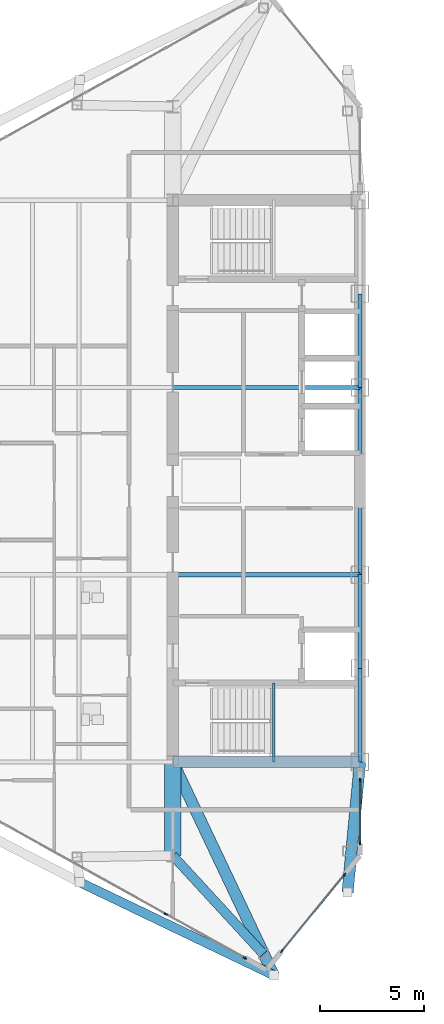
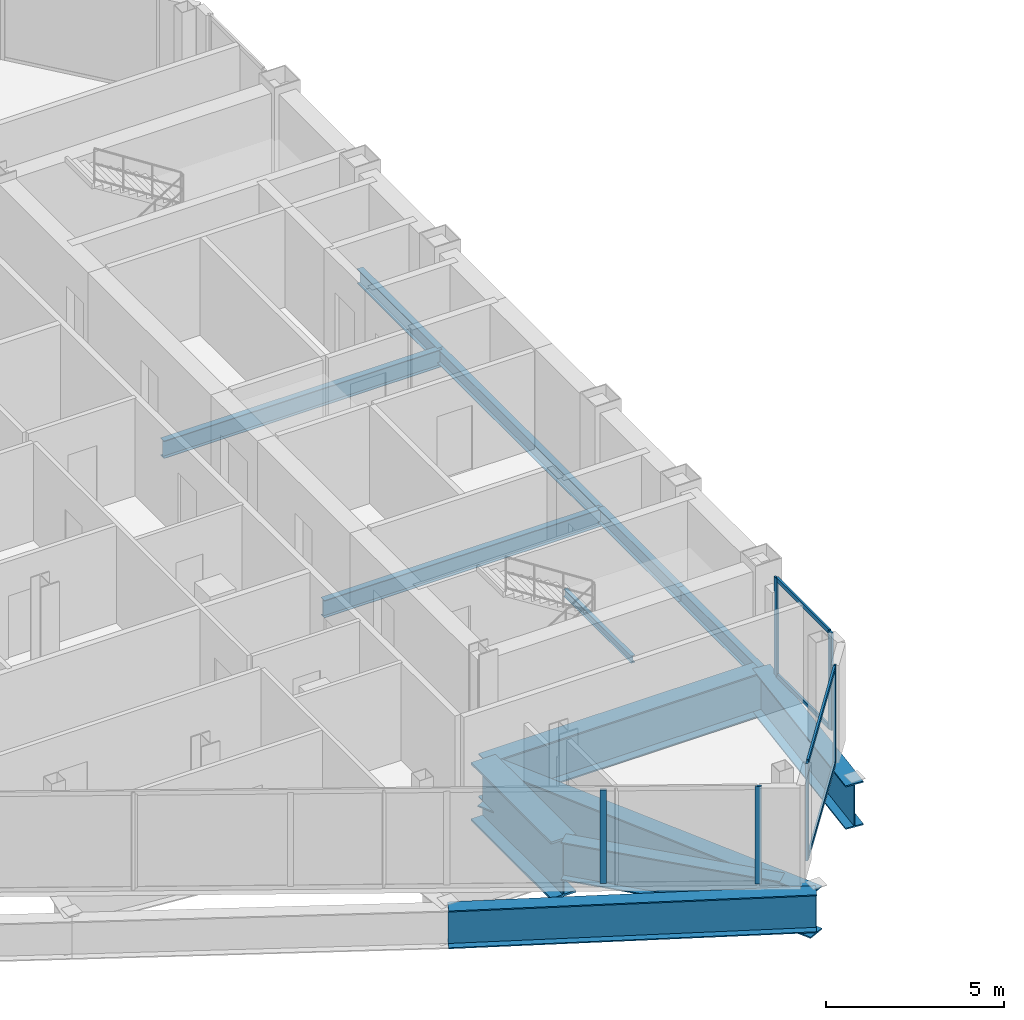
# One storey, part 7 of 28: 13 beams, 10 members, 3 elements without a shape of their own.
"""IFC4 building model written with IfcOpenShell, lengths in metres."""

from ifc_helpers import new_model, si_unit, direction, frame, origin, origin_2d, place, context, subcontext, project, spatial, rectangle, i_section, extrude, source, transform, mapped, material, layer, layer_set, material_profile, profile_set, type_object, type_shapes, element, aggregate, save


model = new_model("IFC4")

# Units and contexts
model_context = context("Model", 3, precision=1e-05, world=origin(), true_north=direction((0.0, 1.0)))
body_context = subcontext(model_context, "Body", "Model", "MODEL_VIEW")
ifc_project = project(units=[si_unit("LENGTHUNIT", "METRE"), si_unit("AREAUNIT", "SQUARE_METRE"), si_unit("VOLUMEUNIT", "CUBIC_METRE"), si_unit("PLANEANGLEUNIT", "RADIAN"), si_unit("MASSUNIT", "GRAM", prefix="KILO")], contexts=[model_context])

# Site, building, storey
site_placement = place(None, origin())
site = spatial("IfcSite", under=ifc_project, at=site_placement, CompositionType="ELEMENT")
building_placement = place(site_placement, origin())
building = spatial("IfcBuilding", under=site, at=building_placement, Name="Seokmaru Belvedere", CompositionType="ELEMENT")
storey_placement = place(building_placement, frame((0.0, 0.0, 158.39990234375)))
storey = spatial("IfcBuildingStorey", under=building, at=storey_placement, Name="L42", CompositionType="ELEMENT", Elevation=158.39990234375)

# Beams
ifc_material_1 = material(Name="Steel SM355 (355 MPa)", Category="steel")
ifc_material_profile_1 = material_profile(ifc_material_1, i_section(OverallWidth=0.199951171875, OverallDepth=0.5, WebThickness=0.010009765625, FlangeThickness=0.01611328125, at=origin_2d()), Name="H-500x200x10x16")
ifc_profile_set_1 = profile_set([ifc_material_profile_1], Name="Steel SM355 (355 MPa)")
beam_type_1 = type_object("IfcBeamType", Name="Perimeter Spandrel Beam H-500", PredefinedType="SPANDREL", material=ifc_profile_set_1)
shared_shape_1 = source(origin(), body_context, "Body", "SweptSolid", [
    extrude(i_section(OverallWidth=0.199951171875, OverallDepth=0.5, WebThickness=0.010009765625, FlangeThickness=0.01611328125, at=origin_2d()), origin(), (0.0, 0.0, 1.0), 4.5),
])
for number, where, z_axis, x_axis, name in (
    (1, (-27.5, -13.5, -0.469970703125), (0.0, 1.0, 0.0), (-1.0, 0.0, 0.0), "L42 W Portal Spine Spandrel 1"),
    (2, (-27.5, -9.0, -0.469970703125), (0.0, 1.0, 0.0), (-1.0, 0.0, 0.0), "L42 W Portal Spine Spandrel 2"),
    (3, (-27.5, 4.5, -0.469970703125), (0.0, 1.0, 0.0), (-1.0, 0.0, 0.0), "L42 W Portal Spine Spandrel 4"),
):
    element("IfcBeam", number, at=place(storey_placement, frame(where, z_axis=z_axis, x_axis=x_axis)), inside=storey, type_object=beam_type_1, Name=name, PredefinedType="SPANDREL", context=body_context, shape_type="MappedRepresentation", body=[
        mapped(shared_shape_1, transform((0.0, 0.0, 0.0), scale=1.0)),
    ])
shared_shape_2 = source(origin(), body_context, "Body", "SweptSolid", [
    extrude(i_section(OverallWidth=0.199951171875, OverallDepth=0.5, WebThickness=0.010009765625, FlangeThickness=0.01611328125, at=origin_2d()), origin(), (0.0, 0.0, 1.0), 9.0),
])
type_shapes(beam_type_1, [shared_shape_1, shared_shape_2])
beam_1_placement = place(storey_placement, frame((-27.5, -4.5, -0.469970703125), z_axis=(0.0, 1.0, 0.0), x_axis=(-1.0, 0.0, 0.0)))
element("IfcBeam", 4, at=beam_1_placement, inside=storey, type_object=beam_type_1, Name="L42 W Portal Spine Spandrel 3", PredefinedType="SPANDREL", context=body_context, shape_type="MappedRepresentation", body=[
    mapped(shared_shape_2, transform((0.0, 0.0, 0.0), scale=1.0)),
])
ifc_material_2 = material(Name="Steel HSA650 (650 MPa)", Category="steel")
ifc_material_profile_2 = material_profile(ifc_material_2, i_section(OverallWidth=0.800048828125, OverallDepth=2.0, WebThickness=0.0400390625, FlangeThickness=0.070068359375, at=origin_2d()), Name="BH-2000x800x40x70")
ifc_profile_set_2 = profile_set([ifc_material_profile_2], Name="Steel HSA650 (650 MPa)")
beam_type_2 = type_object("IfcBeamType", Name="Sky-Gate Transfer Truss Chord Girder BH-2000", PredefinedType="BEAM", material=ifc_profile_set_2)
shared_shape_3 = source(origin(), body_context, "Body", "SweptSolid", [
    extrude(i_section(OverallWidth=0.800048828125, OverallDepth=2.0, WebThickness=0.0400390625, FlangeThickness=0.070068359375, at=origin_2d()), origin(), (0.0, 0.0, 1.0), 4.5),
])
type_shapes(beam_type_2, [shared_shape_3])
beam_2_placement = place(storey_placement, frame((-36.5, -18.0, -1.219970703125), z_axis=(0.0, 1.0, 0.0), x_axis=(-1.0, 0.0, 0.0)))
element("IfcBeam", 5, at=beam_2_placement, inside=storey, type_object=beam_type_2, Name="L42 W Core Shoulder Girder S", PredefinedType="BEAM", context=body_context, shape_type="MappedRepresentation", body=[
    mapped(shared_shape_3, transform((0.0, 0.0, 0.0), scale=1.0)),
])
ifc_material_profile_3 = material_profile(ifc_material_2, i_section(OverallWidth=0.550048828125, OverallDepth=1.5, WebThickness=0.028076171875, FlangeThickness=0.044921875, at=origin_2d()), Name="BH-1500x550x28x45")
ifc_profile_set_3 = profile_set([ifc_material_profile_3], Name="Steel HSA650 (650 MPa)")
beam_type_3 = type_object("IfcBeamType", Name="Setback Transfer Girder BH-1500", PredefinedType="BEAM", material=ifc_profile_set_3)
shared_shape_4 = source(origin(), body_context, "Body", "SweptSolid", [
    extrude(i_section(OverallWidth=0.550048828125, OverallDepth=1.5, WebThickness=0.028076171875, FlangeThickness=0.044921875, at=origin_2d()), origin(), (0.0, 0.0, 1.0), 9.0),
])
beam_3_placement = place(storey_placement, frame((-36.5, -13.5, -0.969970703125), z_axis=(1.0, 0.0, 0.0), x_axis=(0.0, 1.0, 0.0)))
element("IfcBeam", 6, at=beam_3_placement, inside=storey, type_object=beam_type_3, Name="L42 W Core Transfer Header 1", PredefinedType="BEAM", context=body_context, shape_type="MappedRepresentation", body=[
    mapped(shared_shape_4, transform((0.0, 0.0, 0.0), scale=1.0)),
])
ifc_material_profile_4 = material_profile(ifc_material_1, i_section(OverallWidth=0.199951171875, OverallDepth=0.60009765625, WebThickness=0.010986328125, FlangeThickness=0.01708984375, at=origin_2d()), Name="H-600x200x11x17")
ifc_profile_set_4 = profile_set([ifc_material_profile_4], Name="Steel SM355 (355 MPa)")
beam_type_4 = type_object("IfcBeamType", Name="Primary Floor Girder H-600", PredefinedType="BEAM", material=ifc_profile_set_4)
shared_shape_5 = source(origin(), body_context, "Body", "SweptSolid", [
    extrude(i_section(OverallWidth=0.199951171875, OverallDepth=0.60009765625, WebThickness=0.010986328125, FlangeThickness=0.01708984375, at=origin_2d()), origin(), (0.0, 0.0, 1.0), 9.0),
])
type_shapes(beam_type_4, [shared_shape_5])
for number, where, z_axis, x_axis, name in (
    (7, (-36.5, -4.5, -0.52001953125), (1.0, 0.0, 0.0), (0.0, 1.0, 0.0), "L42 W Core Tie Girder 2"),
    (8, (-36.5, 4.5, -0.52001953125), (1.0, 0.0, 0.0), (0.0, 1.0, 0.0), "L42 W Core Tie Girder 3"),
):
    element("IfcBeam", number, at=place(storey_placement, frame(where, z_axis=z_axis, x_axis=x_axis)), inside=storey, type_object=beam_type_4, Name=name, PredefinedType="BEAM", context=body_context, shape_type="MappedRepresentation", body=[
        mapped(shared_shape_5, transform((0.0, 0.0, 0.0), scale=1.0)),
    ])
ifc_material_profile_5 = material_profile(ifc_material_2, i_section(OverallWidth=0.449951171875, OverallDepth=1.300048828125, WebThickness=0.02197265625, FlangeThickness=0.0380859375, at=origin_2d()), Name="BH-1300x450x22x38")
ifc_profile_set_5 = profile_set([ifc_material_profile_5], Name="Steel HSA650 (650 MPa)")
beam_type_5 = type_object("IfcBeamType", Name="Observatory Long-Span Roof Girder BH-1300", PredefinedType="BEAM", material=ifc_profile_set_5)
shared_shape_6 = source(origin(), body_context, "Body", "SweptSolid", [
    extrude(i_section(OverallWidth=0.449951171875, OverallDepth=1.300048828125, WebThickness=0.02197265625, FlangeThickness=0.0380859375, at=origin_2d()), origin(), (0.0, 0.0, 1.0), 10.353759765625),
])
beam_4_placement = place(storey_placement, frame((-31.6396484375, -23.75390625, -0.869873046875), z_axis=(-0.901713202822, 0.432334708134, 0.0), x_axis=(-0.432334708134, -0.901713202822, 0.0)))
element("IfcBeam", 9, at=beam_4_placement, inside=storey, type_object=beam_type_5, Name="L42 W Faceted Flank Spandrel S-1", PredefinedType="BEAM", context=body_context, shape_type="MappedRepresentation", body=[
    mapped(shared_shape_6, transform((0.0, 0.0, 0.0), scale=1.0)),
])
shared_shape_7 = source(origin(), body_context, "Body", "SweptSolid", [
    extrude(i_section(OverallWidth=0.550048828125, OverallDepth=1.5, WebThickness=0.028076171875, FlangeThickness=0.044921875, at=origin_2d()), origin(), (0.0, 0.0, 1.0), 6.300537109375),
])
beam_5_placement = place(storey_placement, frame((-28.10009765625, -19.77197265625, -0.969970703125), z_axis=(0.095244287992, 0.995453929424, 0.0), x_axis=(-0.995453929424, 0.095244287992, 0.0)))
element("IfcBeam", 10, at=beam_5_placement, inside=storey, type_object=beam_type_3, Name="L42 W Setback Transfer Girder 1", PredefinedType="BEAM", context=body_context, shape_type="MappedRepresentation", body=[
    mapped(shared_shape_7, transform((0.0, 0.0, 0.0), scale=1.0)),
])
shared_shape_8 = source(origin(), body_context, "Body", "SweptSolid", [
    extrude(i_section(OverallWidth=0.550048828125, OverallDepth=1.5, WebThickness=0.028076171875, FlangeThickness=0.044921875, at=origin_2d()), origin(), (0.0, 0.0, 1.0), 11.347412109375),
])
type_shapes(beam_type_3, [shared_shape_4, shared_shape_7, shared_shape_8])
beam_6_placement = place(storey_placement, frame((-31.6396484375, -23.75390625, -0.969970703125), z_axis=(-0.428319392777, 0.903627410923, 0.0), x_axis=(-0.903627410923, -0.428319392777, 0.0)))
element("IfcBeam", 11, at=beam_6_placement, inside=storey, type_object=beam_type_3, Name="L42 W Setback Transfer Girder 6", PredefinedType="BEAM", context=body_context, shape_type="MappedRepresentation", body=[
    mapped(shared_shape_8, transform((0.0, 0.0, 0.0), scale=1.0)),
])
shared_shape_9 = source(origin(), body_context, "Body", "SweptSolid", [
    extrude(i_section(OverallWidth=0.449951171875, OverallDepth=1.300048828125, WebThickness=0.02197265625, FlangeThickness=0.0380859375, at=origin_2d()), origin(), (0.0, 0.0, 1.0), 6.4296875),
])
type_shapes(beam_type_5, [shared_shape_6, shared_shape_9])
beam_7_placement = place(storey_placement, frame((-32.146728515625, -22.731689453125, -0.869873046875), z_axis=(-0.677066401984, 0.73592193017, 0.0), x_axis=(-0.73592193017, -0.677066401984, 0.0)))
element("IfcBeam", 12, at=beam_7_placement, inside=storey, type_object=beam_type_5, Name="L42 W Shoulder Sanity Tie Girder 6", PredefinedType="BEAM", context=body_context, shape_type="MappedRepresentation", body=[
    mapped(shared_shape_9, transform((0.0, 0.0, 0.0), scale=1.0)),
])

# Curtain wall, members
ifc_material_3 = material(Name="Bronze Triple Insulating Glass", Category="glass")
ifc_layer = layer(ifc_material_3, 0.179931640625)
ifc_layer_set = layer_set([ifc_layer], Name="Bronze Triple Insulating Glass")
curtain_wall_type = type_object("IfcCurtainWallType", Name="High-Rise Wind-Corner Curtain Wall System CW-5", PredefinedType="NOTDEFINED", material=ifc_layer_set)
curtain_wall_1_placement = place(storey_placement, origin())
curtain_wall_1 = element("IfcCurtainWall", 13, at=curtain_wall_1_placement, inside=storey, type_object=curtain_wall_type, Name="L42 Curtain Wall WSP_1", PredefinedType="NOTDEFINED")
ifc_material_4 = material(Name="Anodised Bronze Aluminium", Category="aluminium")
ifc_material_profile_6 = material_profile(ifc_material_4, rectangle(XDim=0.06494140625, YDim=0.179931640625, at=origin_2d()), Name="CW-M-65x180")
ifc_profile_set_6 = profile_set([ifc_material_profile_6], Name="Anodised Bronze Aluminium")
member_type_1 = type_object("IfcMemberType", Name="Bronze Unitised Mullion 65x180", PredefinedType="MULLION", material=ifc_profile_set_6)
shared_shape_10 = source(origin(), body_context, "Body", "SweptSolid", [
    extrude(rectangle(XDim=0.06494140625, YDim=0.179931640625, at=origin_2d()), origin(), (0.0, 0.0, 1.0), 3.340087890625),
])
member_1_placement = place(storey_placement, frame((-27.5, -17.3974609375, 0.0), z_axis=(0.0, 0.0, 1.0), x_axis=(-1.0, 0.0, 0.0)))
member_1 = element("IfcMember", 14, at=member_1_placement, type_object=member_type_1, Name="CW:L42:WSP_1 Mullion 1", PredefinedType="MULLION", context=body_context, shape_type="MappedRepresentation", body=[
    mapped(shared_shape_10, transform((0.0, 0.0, 0.0), scale=1.0)),
])
member_2_placement = place(storey_placement, frame((-27.5, -14.362548828125, 0.0), z_axis=(0.0, 0.0, 1.0), x_axis=(-1.0, 0.0, 0.0)))
member_2 = element("IfcMember", 15, at=member_2_placement, type_object=member_type_1, Name="CW:L42:WSP_1 Mullion 2", PredefinedType="MULLION", context=body_context, shape_type="MappedRepresentation", body=[
    mapped(shared_shape_10, transform((0.0, 0.0, 0.0), scale=1.0)),
])

# Curtain wall, member
curtain_wall_2_placement = place(storey_placement, origin())
curtain_wall_2 = element("IfcCurtainWall", 16, at=curtain_wall_2_placement, inside=storey, type_object=curtain_wall_type, Name="L42 Curtain Wall WF5", PredefinedType="NOTDEFINED")
member_3_placement = place(storey_placement, frame((-33.033447265625, -22.92529296875, 0.0), z_axis=(0.0, 0.0, 1.0), x_axis=(0.486047125147, 0.873932601598, 0.0)))
member_3 = element("IfcMember", 17, at=member_3_placement, type_object=member_type_1, Name="CW:L42:WF5 Mullion 10", PredefinedType="MULLION", context=body_context, shape_type="MappedRepresentation", body=[
    mapped(shared_shape_10, transform((0.0, 0.0, 0.0), scale=1.0)),
])

# Curtain wall, members
curtain_wall_3_placement = place(storey_placement, origin())
curtain_wall_3 = element("IfcCurtainWall", 18, at=curtain_wall_3_placement, inside=storey, type_object=curtain_wall_type, Name="L42 Curtain Wall WF6", PredefinedType="NOTDEFINED")
member_4_placement = place(storey_placement, frame((-31.251220703125, -22.584716796875, 0.0), z_axis=(0.0, 0.0, 1.0), x_axis=(-0.773944112379, 0.633253907144, 0.0)))
member_4 = element("IfcMember", 19, at=member_4_placement, type_object=member_type_1, Name="CW:L42:WF6 Mullion 1", PredefinedType="MULLION", context=body_context, shape_type="MappedRepresentation", body=[
    mapped(shared_shape_10, transform((0.0, 0.0, 0.0), scale=1.0)),
])
member_5_placement = place(storey_placement, frame((-28.248779296875, -18.915283203125, 0.0), z_axis=(0.0, 0.0, 1.0), x_axis=(-0.773944112379, 0.633253907144, 0.0)))
member_5 = element("IfcMember", 20, at=member_5_placement, type_object=member_type_1, Name="CW:L42:WF6 Mullion 2", PredefinedType="MULLION", context=body_context, shape_type="MappedRepresentation", body=[
    mapped(shared_shape_10, transform((0.0, 0.0, 0.0), scale=1.0)),
])

# Member
ifc_material_profile_7 = material_profile(ifc_material_4, rectangle(XDim=0.06494140625, YDim=0.14990234375, at=origin_2d()), Name="CW-T-65x150")
ifc_profile_set_7 = profile_set([ifc_material_profile_7], Name="Anodised Bronze Aluminium")
member_type_2 = type_object("IfcMemberType", Name="Bronze Unitised Transom 65x150", PredefinedType="USERDEFINED", material=ifc_profile_set_7)
shared_shape_11 = source(origin(), body_context, "Body", "SweptSolid", [
    extrude(rectangle(XDim=0.06494140625, YDim=0.14990234375, at=origin_2d()), origin(), (0.0, 0.0, 1.0), 2.969970703125),
])
member_6_placement = place(storey_placement, frame((-27.5, -17.364990234375, 0.03271484375), z_axis=(0.0, 1.0, 0.0), x_axis=(-1.0, 0.0, 0.0)))
member_6 = element("IfcMember", 21, at=member_6_placement, type_object=member_type_2, Name="CW:L42:WSP_1 Continuous Transom 1", ObjectType="TRANSOM", PredefinedType="USERDEFINED", context=body_context, shape_type="MappedRepresentation", body=[
    mapped(shared_shape_11, transform((0.0, 0.0, 0.0), scale=1.0)),
])

member_7_placement = place(storey_placement, frame((-27.5, -17.364990234375, 3.3076171875), z_axis=(0.0, 1.0, 0.0), x_axis=(-1.0, 0.0, 0.0)))
member_7 = element("IfcMember", 22, at=member_7_placement, type_object=member_type_2, Name="CW:L42:WSP_1 Continuous Transom 2", ObjectType="TRANSOM", PredefinedType="USERDEFINED", context=body_context, shape_type="MappedRepresentation", body=[
    mapped(shared_shape_11, transform((0.0, 0.0, 0.0), scale=1.0)),
])

aggregate(curtain_wall_1, [member_1, member_2, member_6, member_7])

shared_shape_12 = source(origin(), body_context, "Body", "SweptSolid", [
    extrude(rectangle(XDim=0.06494140625, YDim=0.14990234375, at=origin_2d()), origin(), (0.0, 0.0, 1.0), 4.67626953125),
])
type_shapes(member_type_2, [shared_shape_11, shared_shape_12])
member_8_placement = place(storey_placement, frame((-31.230712890625, -22.5595703125, 0.03271484375), z_axis=(0.633277591216, 0.773924733074, 0.0), x_axis=(-0.773924733074, 0.633277591216, 0.0)))
member_8 = element("IfcMember", 23, at=member_8_placement, type_object=member_type_2, Name="CW:L42:WF6 Continuous Transom 1", ObjectType="TRANSOM", PredefinedType="USERDEFINED", context=body_context, shape_type="MappedRepresentation", body=[
    mapped(shared_shape_12, transform((0.0, 0.0, 0.0), scale=1.0)),
])

member_9_placement = place(storey_placement, frame((-31.230712890625, -22.5595703125, 3.3076171875), z_axis=(0.633277591216, 0.773924733074, 0.0), x_axis=(-0.773924733074, 0.633277591216, 0.0)))
member_9 = element("IfcMember", 24, at=member_9_placement, type_object=member_type_2, Name="CW:L42:WF6 Continuous Transom 2", ObjectType="TRANSOM", PredefinedType="USERDEFINED", context=body_context, shape_type="MappedRepresentation", body=[
    mapped(shared_shape_12, transform((0.0, 0.0, 0.0), scale=1.0)),
])

aggregate(curtain_wall_3, [member_4, member_5, member_8, member_9])

shared_shape_13 = source(origin(), body_context, "Body", "SweptSolid", [
    extrude(rectangle(XDim=0.06494140625, YDim=0.179931640625, at=origin_2d()), origin(), (0.0, 0.0, 1.0), 3.2099609375),
])
type_shapes(member_type_1, [shared_shape_10, shared_shape_13])
member_10_placement = place(storey_placement, frame((-36.837158203125, -20.809814453125, 0.065185546875), z_axis=(0.0, 0.0, 1.0), x_axis=(0.486047125147, 0.873932601598, 0.0)))
member_10 = element("IfcMember", 25, at=member_10_placement, type_object=member_type_1, Name="CW:L42:WF5 Mullion 9", PredefinedType="MULLION", context=body_context, shape_type="MappedRepresentation", body=[
    mapped(shared_shape_13, transform((0.0, 0.0, 0.0), scale=1.0)),
])

aggregate(curtain_wall_2, [member_10, member_3])

# Beam
ifc_material_profile_8 = material_profile(ifc_material_1, i_section(OverallWidth=0.125, OverallDepth=0.25, WebThickness=0.006103515625, FlangeThickness=0.009033203125, at=origin_2d()), Name="H-250x125x6x9")
ifc_profile_set_8 = profile_set([ifc_material_profile_8], Name="Steel SM355 (355 MPa)")
beam_type_6 = type_object("IfcBeamType", Name="Stair Mid-Landing Support Beam H-250", PredefinedType="JOIST", material=ifc_profile_set_8)
shared_shape_14 = source(origin(), body_context, "Body", "SweptSolid", [
    extrude(i_section(OverallWidth=0.125, OverallDepth=0.25, WebThickness=0.006103515625, FlangeThickness=0.009033203125, at=origin_2d()), origin(), (0.0, 0.0, 1.0), 3.800048828125),
])
type_shapes(beam_type_6, [shared_shape_14])
beam_8_placement = place(storey_placement, frame((-31.64990234375, -13.5, 1.47509765625), z_axis=(0.0, 1.0, 0.0), x_axis=(-1.0, 0.0, 0.0)))
element("IfcBeam", 26, at=beam_8_placement, inside=storey, type_object=beam_type_6, Name="L42 Stair ST-W1 Mid-Landing Support Beam 1", PredefinedType="JOIST", context=body_context, shape_type="MappedRepresentation", body=[
    mapped(shared_shape_14, transform((0.0, 0.0, 0.0), scale=1.0)),
])

save(model, "model.ifc")
